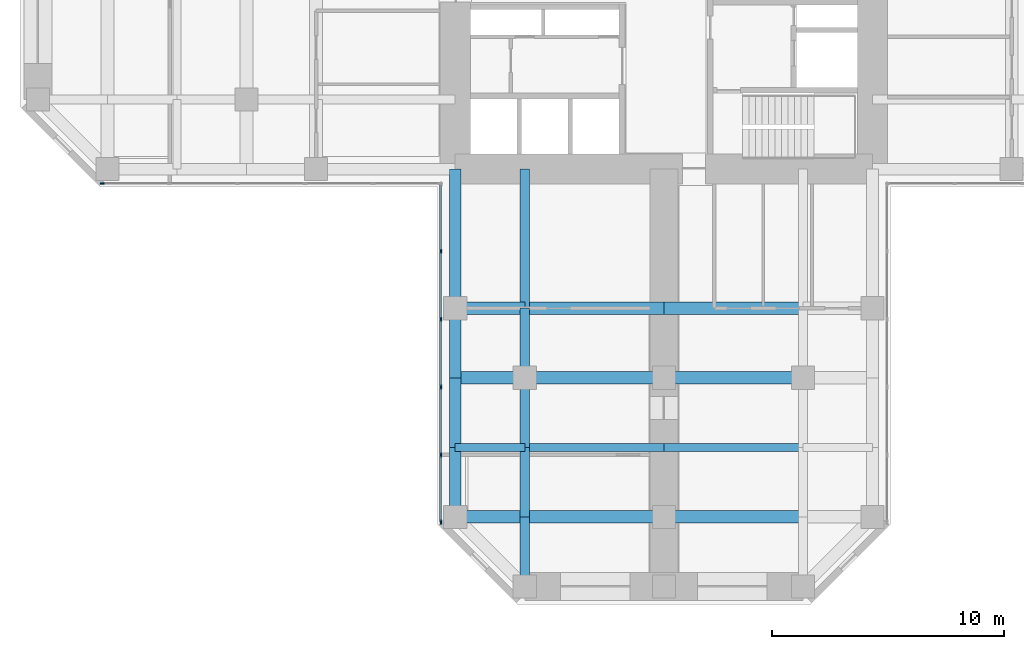
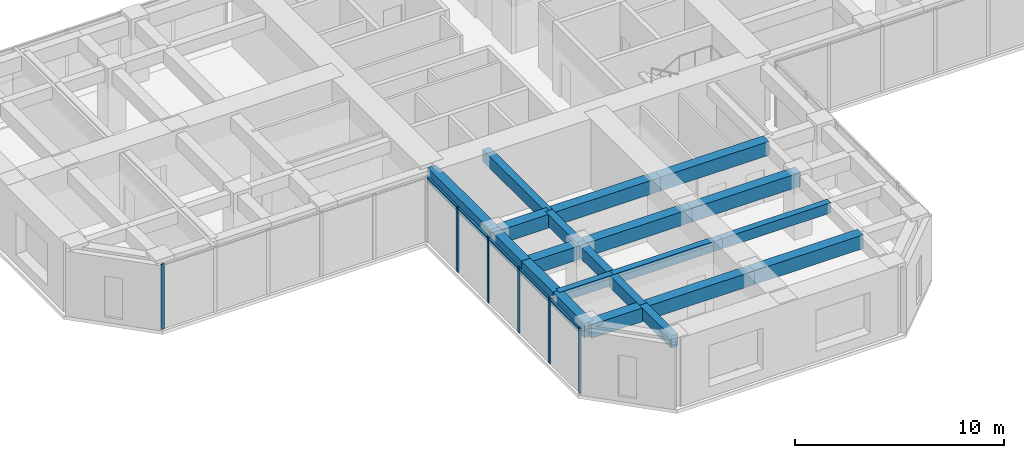
# One storey, part 2 of 12: 21 beams, 11 members, 2 elements without a shape of their own.
"""IFC4 building model written with IfcOpenShell, lengths in metres."""

from ifc_helpers import new_model, si_unit, direction, frame, origin, origin_2d, place, context, subcontext, project, spatial, rectangle, extrude, material, material_profile, profile_set, type_object, element, aggregate, save


model = new_model("IFC4")

# Units and contexts
model_context = context("Model", 3, precision=1e-05, world=origin(), true_north=direction((0.0, 1.0)))
body_context = subcontext(model_context, "Body", "Model", "MODEL_VIEW")
ifc_project = project(units=[si_unit("LENGTHUNIT", "METRE"), si_unit("AREAUNIT", "SQUARE_METRE"), si_unit("VOLUMEUNIT", "CUBIC_METRE"), si_unit("PLANEANGLEUNIT", "RADIAN"), si_unit("MASSUNIT", "GRAM", prefix="KILO")], contexts=[model_context])

# Site, building, storey
site_placement = place(None, origin())
site = spatial("IfcSite", under=ifc_project, at=site_placement, CompositionType="ELEMENT")
building_placement = place(site_placement, origin())
building = spatial("IfcBuilding", under=site, at=building_placement, Name="Torre Cruceta", CompositionType="ELEMENT")
storey_placement = place(building_placement, frame((0.0, 0.0, 100.5)))
storey = spatial("IfcBuildingStorey", under=building, at=storey_placement, Name="L24", CompositionType="ELEMENT", Elevation=100.5)

# Beams
ifc_material_1 = material(Name="Concrete G60 (fck 60 MPa)", Category="concrete")
ifc_material_profile_1 = material_profile(ifc_material_1, rectangle(XDim=0.39990234375, YDim=0.699951171875, at=origin_2d()), Name="RC 400X700")
ifc_profile_set_1 = profile_set([ifc_material_profile_1], Name="Concrete G60 (fck 60 MPa)")
beam_type_1 = type_object("IfcBeamType", Name="COLUMN LINE BEAM RC 400X700", PredefinedType="BEAM", material=ifc_profile_set_1)
beam_1_placement = place(storey_placement, frame((-6.0, -9.0, 3.449951171875), z_axis=(0.0, -1.0, 0.0), x_axis=(1.0, 0.0, 0.0)))
element("IfcBeam", 1, at=beam_1_placement, inside=storey, type_object=beam_type_1, Name="LB5 L24 S col- 1", PredefinedType="BEAM", context=body_context, shape_type="SweptSolid", body=[
    extrude(rectangle(XDim=0.39990234375, YDim=0.699951171875, at=origin_2d()), origin(), (0.0, 0.0, 1.0), 6.0),
])
for number, where, z_axis, x_axis, name in (
    (2, (-6.0, -15.0, 3.449951171875), (0.0, -1.0, 0.0), (1.0, 0.0, 0.0), "LB5 L24 S col- 2"),
    (3, (-6.0, -18.0, 3.449951171875), (0.0, -1.0, 0.0), (1.0, 0.0, 0.0), "LB5 L24 S col- 3"),
    (4, (-6.0, -21.0, 3.449951171875), (0.0, -1.0, 0.0), (1.0, 0.0, 0.0), "LB5 L24 S col- 4"),
    (5, (-6.0, -24.0, 3.449951171875), (0.0, -1.0, 0.0), (1.0, 0.0, 0.0), "LB5 L24 S col- 5"),
):
    element("IfcBeam", number, at=place(storey_placement, frame(where, z_axis=z_axis, x_axis=x_axis)), inside=storey, type_object=beam_type_1, Name=name, PredefinedType="BEAM", context=body_context, shape_type="SweptSolid", body=[
        extrude(rectangle(XDim=0.39990234375, YDim=0.699951171875, at=origin_2d()), origin(), (0.0, 0.0, 1.0), 3.0),
    ])
ifc_material_2 = material(Name="Concrete G60 (fck 60 MPa)", Category="concrete")
ifc_material_profile_2 = material_profile(ifc_material_2, rectangle(XDim=0.550048828125, YDim=0.800048828125, at=origin_2d()), Name="RC 550X800")
ifc_profile_set_2 = profile_set([ifc_material_profile_2], Name="Concrete G60 (fck 60 MPa)")
beam_type_2 = type_object("IfcBeamType", Name="CROSS BEAM RC 550X800", PredefinedType="BEAM", material=ifc_profile_set_2)
beam_2_placement = place(storey_placement, frame((-9.0, -15.0, 3.39990234375), z_axis=(1.0, 0.0, 0.0), x_axis=(0.0, 1.0, 0.0)))
element("IfcBeam", 6, at=beam_2_placement, inside=storey, type_object=beam_type_2, Name="GB5 L24 S cross15 1", PredefinedType="BEAM", context=body_context, shape_type="SweptSolid", body=[
    extrude(rectangle(XDim=0.550048828125, YDim=0.800048828125, at=origin_2d()), origin(), (0.0, 0.0, 1.0), 3.0),
])
for number, where, z_axis, x_axis, name in (
    (7, (-6.0, -15.0, 3.39990234375), (1.0, 0.0, 0.0), (0.0, 1.0, 0.0), "GB5 L24 S cross15 2"),
    (8, (0.0, -15.0, 3.39990234375), (1.0, 0.0, 0.0), (0.0, 1.0, 0.0), "GB5 L24 S cross15 3"),
):
    element("IfcBeam", number, at=place(storey_placement, frame(where, z_axis=z_axis, x_axis=x_axis)), inside=storey, type_object=beam_type_2, Name=name, PredefinedType="BEAM", context=body_context, shape_type="SweptSolid", body=[
        extrude(rectangle(XDim=0.550048828125, YDim=0.800048828125, at=origin_2d()), origin(), (0.0, 0.0, 1.0), 6.0),
    ])
beam_3_placement = place(storey_placement, frame((-9.0, -18.0, 3.39990234375), z_axis=(1.0, 0.0, 0.0), x_axis=(0.0, 1.0, 0.0)))
element("IfcBeam", 9, at=beam_3_placement, inside=storey, type_object=beam_type_2, Name="GB5 L24 S cross18 1", PredefinedType="BEAM", context=body_context, shape_type="SweptSolid", body=[
    extrude(rectangle(XDim=0.550048828125, YDim=0.800048828125, at=origin_2d()), origin(), (0.0, 0.0, 1.0), 3.0),
])
for number, where, z_axis, x_axis, name in (
    (10, (-6.0, -18.0, 3.39990234375), (1.0, 0.0, 0.0), (0.0, 1.0, 0.0), "GB5 L24 S cross18 2"),
    (11, (0.0, -18.0, 3.39990234375), (1.0, 0.0, 0.0), (0.0, 1.0, 0.0), "GB5 L24 S cross18 3"),
):
    element("IfcBeam", number, at=place(storey_placement, frame(where, z_axis=z_axis, x_axis=x_axis)), inside=storey, type_object=beam_type_2, Name=name, PredefinedType="BEAM", context=body_context, shape_type="SweptSolid", body=[
        extrude(rectangle(XDim=0.550048828125, YDim=0.800048828125, at=origin_2d()), origin(), (0.0, 0.0, 1.0), 6.0),
    ])
beam_4_placement = place(storey_placement, frame((-9.0, -24.0, 3.39990234375), z_axis=(1.0, 0.0, 0.0), x_axis=(0.0, 1.0, 0.0)))
element("IfcBeam", 12, at=beam_4_placement, inside=storey, type_object=beam_type_2, Name="GB5 L24 S cross24 1", PredefinedType="BEAM", context=body_context, shape_type="SweptSolid", body=[
    extrude(rectangle(XDim=0.550048828125, YDim=0.800048828125, at=origin_2d()), origin(), (0.0, 0.0, 1.0), 3.0),
])
for number, where, z_axis, x_axis, name in (
    (13, (-6.0, -24.0, 3.39990234375), (1.0, 0.0, 0.0), (0.0, 1.0, 0.0), "GB5 L24 S cross24 2"),
    (14, (0.0, -24.0, 3.39990234375), (1.0, 0.0, 0.0), (0.0, 1.0, 0.0), "GB5 L24 S cross24 3"),
):
    element("IfcBeam", number, at=place(storey_placement, frame(where, z_axis=z_axis, x_axis=x_axis)), inside=storey, type_object=beam_type_2, Name=name, PredefinedType="BEAM", context=body_context, shape_type="SweptSolid", body=[
        extrude(rectangle(XDim=0.550048828125, YDim=0.800048828125, at=origin_2d()), origin(), (0.0, 0.0, 1.0), 6.0),
    ])

# Curtain wall, member
ifc_material_3 = material(Name="Aluminium unitised curtain wall", Category="aluminium")
curtain_wall_type = type_object("IfcCurtainWallType", Name="CURTAIN WALL CW-B OFFICE MID RISE", PredefinedType="USERDEFINED", material=ifc_material_3)
curtain_wall_1_placement = place(storey_placement, origin())
curtain_wall_1 = element("IfcCurtainWall", 15, at=curtain_wall_1_placement, inside=storey, type_object=curtain_wall_type, Name="CW-B L24 W side 14", ObjectType="UNITISED", PredefinedType="USERDEFINED")
ifc_material_4 = material(Name="Aluminium mullion", Category="aluminium")
ifc_material_profile_3 = material_profile(ifc_material_4, rectangle(XDim=0.06494140625, YDim=0.179931640625, at=origin_2d()), Name="AL 65X180")
ifc_profile_set_3 = profile_set([ifc_material_profile_3], Name="Aluminium mullion")
member_type_1 = type_object("IfcMemberType", Name="CW-B MULLION 65X180", PredefinedType="MULLION", material=ifc_profile_set_3)
member_1_placement = place(storey_placement, frame((-24.224365234375, -9.6201171875, 0.0), z_axis=(0.0, 0.0, 1.0), x_axis=(0.0, 1.0, 0.0)))
member_1 = element("IfcMember", 16, at=member_1_placement, type_object=member_type_1, Name="CW-B mullion 1", PredefinedType="MULLION", context=body_context, shape_type="SweptSolid", body=[
    extrude(rectangle(XDim=0.06494140625, YDim=0.179931640625, at=origin_2d()), origin(), (0.0, 0.0, 1.0), 3.800048828125),
])
aggregate(curtain_wall_1, [member_1])

# Curtain wall, members
curtain_wall_2_placement = place(storey_placement, origin())
curtain_wall_2 = element("IfcCurtainWall", 17, at=curtain_wall_2_placement, inside=storey, type_object=curtain_wall_type, Name="CW-B L24 S side 15", ObjectType="UNITISED", PredefinedType="USERDEFINED")
member_2_placement = place(storey_placement, frame((-9.6201171875, -12.54736328125, 0.0), z_axis=(0.0, 0.0, 1.0), x_axis=(1.0, 0.0, 0.0)))
member_2 = element("IfcMember", 18, at=member_2_placement, type_object=member_type_1, Name="CW-B mullion 2", PredefinedType="MULLION", context=body_context, shape_type="SweptSolid", body=[
    extrude(rectangle(XDim=0.06494140625, YDim=0.179931640625, at=origin_2d()), origin(), (0.0, 0.0, 1.0), 3.800048828125),
])
member_3_placement = place(storey_placement, frame((-9.6201171875, -15.474609375, 0.0), z_axis=(0.0, 0.0, 1.0), x_axis=(1.0, 0.0, 0.0)))
member_3 = element("IfcMember", 19, at=member_3_placement, type_object=member_type_1, Name="CW-B mullion 3", PredefinedType="MULLION", context=body_context, shape_type="SweptSolid", body=[
    extrude(rectangle(XDim=0.06494140625, YDim=0.179931640625, at=origin_2d()), origin(), (0.0, 0.0, 1.0), 3.800048828125),
])
member_4_placement = place(storey_placement, frame((-9.6201171875, -18.402099609375, 0.0), z_axis=(0.0, 0.0, 1.0), x_axis=(1.0, 0.0, 0.0)))
member_4 = element("IfcMember", 20, at=member_4_placement, type_object=member_type_1, Name="CW-B mullion 4", PredefinedType="MULLION", context=body_context, shape_type="SweptSolid", body=[
    extrude(rectangle(XDim=0.06494140625, YDim=0.179931640625, at=origin_2d()), origin(), (0.0, 0.0, 1.0), 3.800048828125),
])
member_5_placement = place(storey_placement, frame((-9.6201171875, -21.329345703125, 0.0), z_axis=(0.0, 0.0, 1.0), x_axis=(1.0, 0.0, 0.0)))
member_5 = element("IfcMember", 21, at=member_5_placement, type_object=member_type_1, Name="CW-B mullion 5", PredefinedType="MULLION", context=body_context, shape_type="SweptSolid", body=[
    extrude(rectangle(XDim=0.06494140625, YDim=0.179931640625, at=origin_2d()), origin(), (0.0, 0.0, 1.0), 3.800048828125),
])
member_6_placement = place(storey_placement, frame((-9.6201171875, -24.224365234375, 0.0), z_axis=(0.0, 0.0, 1.0), x_axis=(1.0, 0.0, 0.0)))
member_6 = element("IfcMember", 22, at=member_6_placement, type_object=member_type_1, Name="CW-B mullion 6", PredefinedType="MULLION", context=body_context, shape_type="SweptSolid", body=[
    extrude(rectangle(XDim=0.06494140625, YDim=0.179931640625, at=origin_2d()), origin(), (0.0, 0.0, 1.0), 3.800048828125),
])
ifc_material_5 = material(Name="Aluminium transom", Category="aluminium")
ifc_material_profile_4 = material_profile(ifc_material_5, rectangle(XDim=0.110107421875, YDim=0.06494140625, at=origin_2d()), Name="AL 110X65")
ifc_profile_set_4 = profile_set([ifc_material_profile_4], Name="Aluminium transom")
member_type_2 = type_object("IfcMemberType", Name="CW-B TRANSOM 65X110", PredefinedType="USERDEFINED", material=ifc_profile_set_4)
member_7_placement = place(storey_placement, frame((-9.6201171875, -9.68505859375, 3.767578125), z_axis=(0.0, -1.0, 0.0), x_axis=(1.0, 0.0, 0.0)))
member_7 = element("IfcMember", 23, at=member_7_placement, type_object=member_type_2, Name="CW-B transom 1", ObjectType="TRANSOM", PredefinedType="USERDEFINED", context=body_context, shape_type="SweptSolid", body=[
    extrude(rectangle(XDim=0.110107421875, YDim=0.06494140625, at=origin_2d()), origin(), (0.0, 0.0, 1.0), 2.829833984375),
])
member_8_placement = place(storey_placement, frame((-9.6201171875, -12.579833984375, 3.767578125), z_axis=(0.0, -1.0, 0.0), x_axis=(1.0, 0.0, 0.0)))
member_8 = element("IfcMember", 24, at=member_8_placement, type_object=member_type_2, Name="CW-B transom 2", ObjectType="TRANSOM", PredefinedType="USERDEFINED", context=body_context, shape_type="SweptSolid", body=[
    extrude(rectangle(XDim=0.110107421875, YDim=0.06494140625, at=origin_2d()), origin(), (0.0, 0.0, 1.0), 2.8623046875),
])
member_9_placement = place(storey_placement, frame((-9.6201171875, -15.50732421875, 3.767578125), z_axis=(0.0, -1.0, 0.0), x_axis=(1.0, 0.0, 0.0)))
member_9 = element("IfcMember", 25, at=member_9_placement, type_object=member_type_2, Name="CW-B transom 3", ObjectType="TRANSOM", PredefinedType="USERDEFINED", context=body_context, shape_type="SweptSolid", body=[
    extrude(rectangle(XDim=0.110107421875, YDim=0.06494140625, at=origin_2d()), origin(), (0.0, 0.0, 1.0), 2.8623046875),
])
member_10_placement = place(storey_placement, frame((-9.6201171875, -18.4345703125, 3.767578125), z_axis=(0.0, -1.0, 0.0), x_axis=(1.0, 0.0, 0.0)))
member_10 = element("IfcMember", 26, at=member_10_placement, type_object=member_type_2, Name="CW-B transom 4", ObjectType="TRANSOM", PredefinedType="USERDEFINED", context=body_context, shape_type="SweptSolid", body=[
    extrude(rectangle(XDim=0.110107421875, YDim=0.06494140625, at=origin_2d()), origin(), (0.0, 0.0, 1.0), 2.8623046875),
])
member_11_placement = place(storey_placement, frame((-9.6201171875, -21.362060546875, 3.767578125), z_axis=(0.0, -1.0, 0.0), x_axis=(1.0, 0.0, 0.0)))
member_11 = element("IfcMember", 27, at=member_11_placement, type_object=member_type_2, Name="CW-B transom 5", ObjectType="TRANSOM", PredefinedType="USERDEFINED", context=body_context, shape_type="SweptSolid", body=[
    extrude(rectangle(XDim=0.110107421875, YDim=0.06494140625, at=origin_2d()), origin(), (0.0, 0.0, 1.0), 2.829833984375),
])
aggregate(curtain_wall_2, [member_2, member_3, member_4, member_5, member_6, member_7, member_8, member_9, member_10, member_11])

# Beams
ifc_material_6 = material(Name="Concrete G60 (fck 60 MPa)", Category="concrete")
ifc_material_profile_5 = material_profile(ifc_material_6, rectangle(XDim=0.35009765625, YDim=0.60009765625, at=origin_2d()), Name="RC 350X600")
ifc_profile_set_5 = profile_set([ifc_material_profile_5], Name="Concrete G60 (fck 60 MPa)")
beam_type_3 = type_object("IfcBeamType", Name="SECONDARY BEAM RC 350X600", PredefinedType="JOIST", material=ifc_profile_set_5)
beam_5_placement = place(storey_placement, frame((-9.0, -21.0, 3.5), z_axis=(1.0, 0.0, 0.0), x_axis=(0.0, 1.0, 0.0)))
element("IfcBeam", 28, at=beam_5_placement, inside=storey, type_object=beam_type_3, Name="JB5 L24 S sec21 1", PredefinedType="JOIST", context=body_context, shape_type="SweptSolid", body=[
    extrude(rectangle(XDim=0.35009765625, YDim=0.60009765625, at=origin_2d()), origin(), (0.0, 0.0, 1.0), 3.0),
])
for number, where, z_axis, x_axis, name in (
    (29, (-6.0, -21.0, 3.5), (1.0, 0.0, 0.0), (0.0, 1.0, 0.0), "JB5 L24 S sec21 2"),
    (30, (0.0, -21.0, 3.5), (1.0, 0.0, 0.0), (0.0, 1.0, 0.0), "JB5 L24 S sec21 3"),
):
    element("IfcBeam", number, at=place(storey_placement, frame(where, z_axis=z_axis, x_axis=x_axis)), inside=storey, type_object=beam_type_3, Name=name, PredefinedType="JOIST", context=body_context, shape_type="SweptSolid", body=[
        extrude(rectangle(XDim=0.35009765625, YDim=0.60009765625, at=origin_2d()), origin(), (0.0, 0.0, 1.0), 6.0),
    ])
ifc_material_7 = material(Name="Concrete G60 (fck 60 MPa)", Category="concrete")
ifc_material_profile_6 = material_profile(ifc_material_7, rectangle(XDim=0.5, YDim=0.85009765625, at=origin_2d()), Name="RC 500X850")
ifc_profile_set_6 = profile_set([ifc_material_profile_6], Name="Concrete G60 (fck 60 MPa)")
beam_type_4 = type_object("IfcBeamType", Name="SPANDREL BEAM RC 500X850", PredefinedType="SPANDREL", material=ifc_profile_set_6)
beam_6_placement = place(storey_placement, frame((-9.0, -9.0, 3.375), z_axis=(0.0, -1.0, 0.0), x_axis=(1.0, 0.0, 0.0)))
element("IfcBeam", 31, at=beam_6_placement, inside=storey, type_object=beam_type_4, Name="SB5 L24 S side- 1", PredefinedType="SPANDREL", context=body_context, shape_type="SweptSolid", body=[
    extrude(rectangle(XDim=0.5, YDim=0.85009765625, at=origin_2d()), origin(), (0.0, 0.0, 1.0), 6.0),
])
for number, where, z_axis, x_axis, name in (
    (32, (-9.0, -15.0, 3.375), (0.0, -1.0, 0.0), (1.0, 0.0, 0.0), "SB5 L24 S side- 2"),
    (33, (-9.0, -18.0, 3.375), (0.0, -1.0, 0.0), (1.0, 0.0, 0.0), "SB5 L24 S side- 3"),
    (34, (-9.0, -21.0, 3.375), (0.0, -1.0, 0.0), (1.0, 0.0, 0.0), "SB5 L24 S side- 4"),
):
    element("IfcBeam", number, at=place(storey_placement, frame(where, z_axis=z_axis, x_axis=x_axis)), inside=storey, type_object=beam_type_4, Name=name, PredefinedType="SPANDREL", context=body_context, shape_type="SweptSolid", body=[
        extrude(rectangle(XDim=0.5, YDim=0.85009765625, at=origin_2d()), origin(), (0.0, 0.0, 1.0), 3.0),
    ])

save(model, "model.ifc")
